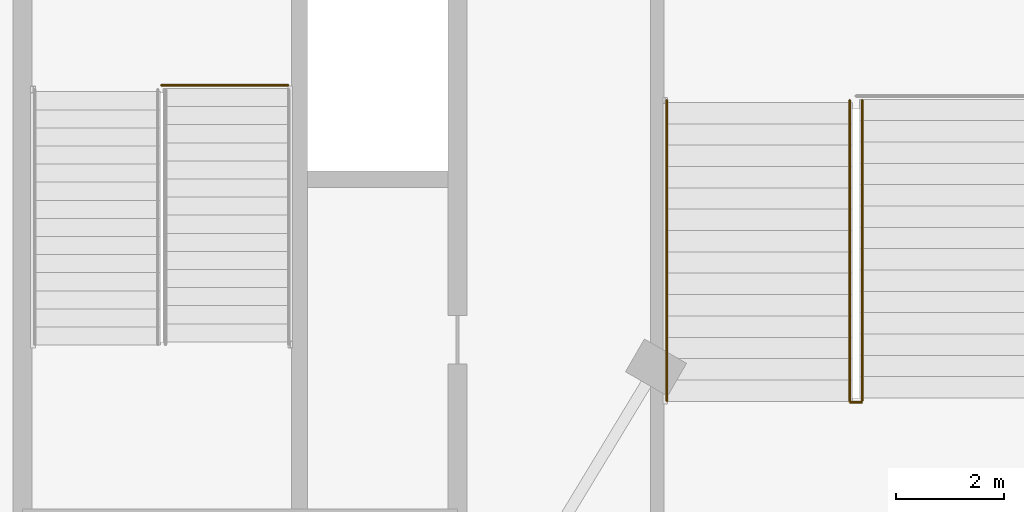
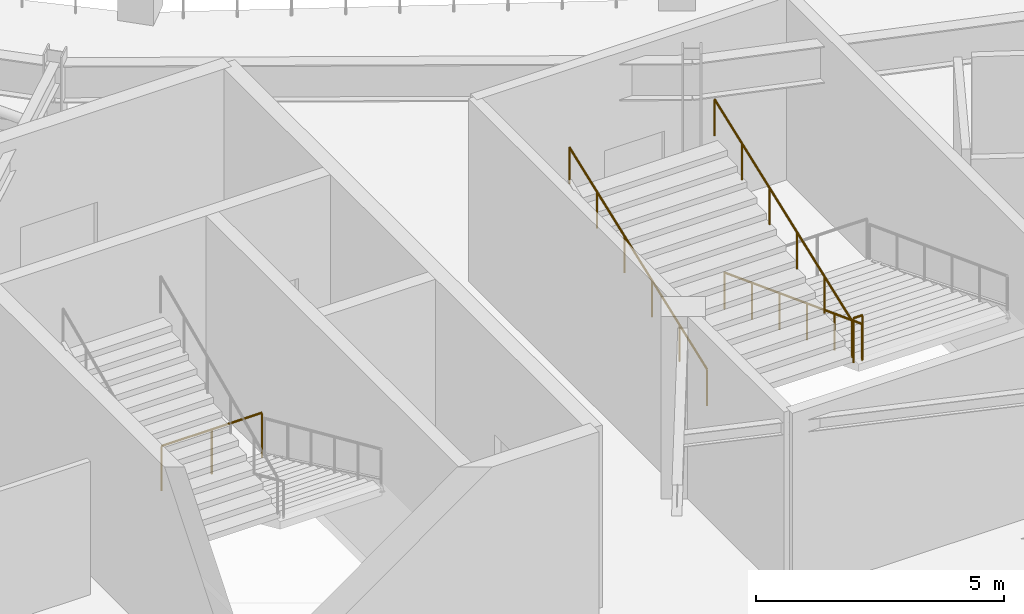
# One storey, part 102 of 123: 5 railings.
"""IFC4 building model written with IfcOpenShell, lengths in metres."""

import ifcopenshell
import ifcopenshell.guid

model = None  # the IFC model being written
_history = None  # IfcOwnerHistory: only IFC2X3 demands one
_inside = {}  # id of a spatial element -> (the spatial element, [elements in it])
_under = {}  # id of a project, library or spatial element -> (it, [spatial elements below it])
_declared = {}  # id of a project -> (the project, [libraries it declares])
_typed = {}  # id of a type object -> (the type object, [elements of that type])
_made_of = {}  # id of a material, layer set ... -> (it, [elements and type objects made of it])


def new_model(schema):
    """Start an empty IFC model of exactly this schema.

    Asked for "IFC4X3", IfcOpenShell would pick the latest addendum, in which some entities
    have other attributes; the version numbers below select the first issue.
    IFC2X3 requires an IfcOwnerHistory on every rooted entity: one is made here for all.
    """
    global model, _history
    if schema == "IFC4X3":
        model = ifcopenshell.file(schema_version=(4, 3, 0, 0))
    else:
        model = ifcopenshell.file(schema=schema)
    _inside.clear()
    _under.clear()
    _declared.clear()
    _typed.clear()
    _made_of.clear()
    _history = None
    if model.schema == "IFC2X3":
        org = make("IfcOrganization", Name="unknown")
        user = make(
            "IfcPersonAndOrganization",
            ThePerson=make("IfcPerson", FamilyName="unknown"),
            TheOrganization=org,
        )
        app = make(
            "IfcApplication",
            ApplicationDeveloper=org,
            Version="unknown",
            ApplicationFullName="unknown",
            ApplicationIdentifier="unknown",
        )
        _history = make(
            "IfcOwnerHistory",
            OwningUser=user,
            OwningApplication=app,
            ChangeAction="ADDED",
            CreationDate=0,
        )
    return model


def make(cls, **values):
    """One entity of the class cls with the attributes given. An attribute that is None is left unset."""
    return model.create_entity(
        cls, **{name: value for name, value in values.items() if value is not None}
    )


def rooted(cls, **values):
    """An entity with a GlobalId (a new one), such as an element, a storey or a relation."""
    return make(cls, GlobalId=ifcopenshell.guid.new(), OwnerHistory=_history, **values)


def si_unit(unit_type, name, prefix=None):
    """IfcSIUnit, for example si_unit("LENGTHUNIT", "METRE", prefix="MILLI")."""
    return make("IfcSIUnit", UnitType=unit_type, Prefix=prefix, Name=name)


def assignment(units):
    """IfcUnitAssignment: the units of a project."""
    return None if units is None else make("IfcUnitAssignment", Units=units)


def point(xyz):
    """IfcCartesianPoint."""
    return None if xyz is None else make("IfcCartesianPoint", Coordinates=xyz)


def direction(xyz):
    """IfcDirection."""
    return None if xyz is None else make("IfcDirection", DirectionRatios=xyz)


def frame(location, z_axis=None, x_axis=None):
    """IfcAxis2Placement3D, a coordinate frame: its origin and axes. An axis left out is left unset."""
    return make(
        "IfcAxis2Placement3D",
        Location=point(location),
        Axis=direction(z_axis),
        RefDirection=direction(x_axis),
    )


def frame_2d(location, x_axis=None):
    """IfcAxis2Placement2D, a coordinate frame in the plane: its origin and x axis."""
    return make(
        "IfcAxis2Placement2D", Location=point(location), RefDirection=direction(x_axis)
    )


def origin():
    """The frame at (0, 0, 0) with its axes left unset."""
    return frame((0.0, 0.0, 0.0))


def origin_2d():
    """The frame at (0, 0) in the plane with its x axis left unset."""
    return frame_2d((0.0, 0.0))


def place(relative_to, where):
    """IfcLocalPlacement: puts the frame where relative to a parent placement (None: the world)."""
    return make(
        "IfcLocalPlacement", PlacementRelTo=relative_to, RelativePlacement=where
    )


def context(
    kind, dimensions, precision=None, world=None, true_north=None, identifier=None
):
    """IfcGeometricRepresentationContext, for example the 3D "Model" context."""
    return make(
        "IfcGeometricRepresentationContext",
        ContextIdentifier=identifier,
        ContextType=kind,
        CoordinateSpaceDimension=dimensions,
        Precision=precision,
        WorldCoordinateSystem=world,
        TrueNorth=true_north,
    )


def subcontext(parent, identifier, kind, view, scale=None):
    """IfcGeometricRepresentationSubContext, for example "Body" below "Model"."""
    return make(
        "IfcGeometricRepresentationSubContext",
        ContextIdentifier=identifier,
        ContextType=kind,
        ParentContext=parent,
        TargetScale=scale,
        TargetView=view,
    )


def project(units=None, contexts=None):
    """IfcProject with its units and contexts."""
    return rooted(
        "IfcProject",
        Name="project",
        RepresentationContexts=contexts,
        UnitsInContext=assignment(units),
    )


def spatial(cls, under=None, at=None, **own):
    """A site, building, storey or space (cls), placed at a placement, below another one or the project."""
    s = rooted(cls, ObjectPlacement=at, **own)
    if under is not None:
        _under.setdefault(under.id(), (under, []))[1].append(s)
    return s


def profile(cls, at=None, kind="AREA", **sizes):
    """A parametric profile (cls). Its sizes go by their IFC names, for example OverallWidth=200.0."""
    return make(cls, ProfileType=kind, Position=at, **sizes)


def circle(**sizes):
    """IfcCircleProfileDef."""
    return profile("IfcCircleProfileDef", **sizes)


def extrude(swept, where, along, depth):
    """IfcExtrudedAreaSolid: the profile swept, set in the frame where, extruded along a direction by depth."""
    return make(
        "IfcExtrudedAreaSolid",
        SweptArea=swept,
        Position=where,
        ExtrudedDirection=direction(along),
        Depth=depth,
    )


def shape(context_of_items, identifier, shape_type, items):
    """IfcShapeRepresentation: the items that make up one representation, for example the "Body"."""
    return make(
        "IfcShapeRepresentation",
        ContextOfItems=context_of_items,
        RepresentationIdentifier=identifier,
        RepresentationType=shape_type,
        Items=items,
    )


def material(Name=None, Category=None):
    """IfcMaterial."""
    return make("IfcMaterial", Name=Name, Category=Category)


def made_of(thing, what):
    """Note that an element or type object is made of a material, layer set ...; save() writes the relation."""
    if what is not None:
        _made_of.setdefault(what.id(), (what, []))[1].append(thing)
    return thing


def type_object(cls, material=None, **own):
    """A type object (cls), such as IfcWallType, which elements share."""
    return made_of(rooted(cls, **own), material)


def element(
    cls,
    number,
    at=None,
    inside=None,
    cuts=None,
    type_object=None,
    material=None,
    context=None,
    identifier="Body",
    shape_type=None,
    held_by="IfcProductDefinitionShape",
    body=None,
    shapes=None,
    **own,
):
    """One element of the class cls, such as IfcWall. Its Tag is "e" and its number.

    at: its placement. inside: the storey or other place that contains it. cuts: it is an
    opening in that element (IfcRelVoidsElement). A single representation is given by context,
    identifier, shape_type and body (its items); several are given by shapes. held_by: the class
    of the entity that holds the representations. save() writes the other relations.
    """
    e = rooted(cls, Tag="e%d" % number, ObjectPlacement=at, **own)
    if body is not None:
        shapes = [shape(context, identifier, shape_type, body)]
    if shapes is not None:
        e.Representation = make(held_by, Representations=shapes)
    if inside is not None:
        _inside.setdefault(inside.id(), (inside, []))[1].append(e)
    if cuts is not None:
        rooted(
            "IfcRelVoidsElement", RelatingBuildingElement=cuts, RelatedOpeningElement=e
        )
    if type_object is not None:
        _typed.setdefault(type_object.id(), (type_object, []))[1].append(e)
    return made_of(e, material)


def aggregate(whole, parts):
    """IfcRelAggregates: a whole, such as a stair, and the parts it consists of."""
    return rooted("IfcRelAggregates", RelatingObject=whole, RelatedObjects=parts)


def save(model, path):
    """Write the relations noted so far, then the file.

    IfcRelAggregates (storeys below a building ...), IfcRelContainedInSpatialStructure (elements
    in a storey), IfcRelDefinesByType, IfcRelAssociatesMaterial and IfcRelDeclares: one each for
    every whole, place, type object, material and project.
    """
    for whole, parts in _under.values():
        aggregate(whole, parts)
    for where, things in _inside.values():
        rooted(
            "IfcRelContainedInSpatialStructure",
            RelatedElements=things,
            RelatingStructure=where,
        )
    for kind, things in _typed.values():
        rooted("IfcRelDefinesByType", RelatedObjects=things, RelatingType=kind)
    for what, things in _made_of.values():
        rooted("IfcRelAssociatesMaterial", RelatedObjects=things, RelatingMaterial=what)
    for by, libraries in _declared.values():
        rooted("IfcRelDeclares", RelatingContext=by, RelatedDefinitions=libraries)
    model.write(path)


model = new_model("IFC4")

# Units and contexts
model_context = context("Model", 3, precision=1e-05, world=origin(), true_north=direction((0.0, 1.0)))
body_context = subcontext(model_context, "Body", "Model", "MODEL_VIEW")
ifc_project = project(units=[si_unit("LENGTHUNIT", "METRE"), si_unit("AREAUNIT", "SQUARE_METRE"), si_unit("VOLUMEUNIT", "CUBIC_METRE"), si_unit("PLANEANGLEUNIT", "RADIAN"), si_unit("MASSUNIT", "GRAM", prefix="KILO")], contexts=[model_context])

# Site, building, storey
site_placement = place(None, origin())
site = spatial("IfcSite", under=ifc_project, at=site_placement, CompositionType="ELEMENT")
building_placement = place(site_placement, origin())
building = spatial("IfcBuilding", under=site, at=building_placement, Name="Kalgoora Escarpment Arena", CompositionType="ELEMENT")
storey_placement = place(building_placement, frame((0.0, 0.0, 9.89990234375)))
storey = spatial("IfcBuildingStorey", under=building, at=storey_placement, Name="L02", CompositionType="ELEMENT", Elevation=9.89990234375)

# Railings
ifc_material_1 = material(Name="Galvanised & powdercoated tubular steel", Category="steel")
railing_type_1 = type_object("IfcRailingType", Name="RAL-GUARD-1120", PredefinedType="GUARDRAIL", material=ifc_material_1)
railing_1_placement = place(storey_placement, frame((53.889892578125, 26.7900390625, 0.0)))
element("IfcRailing", 1, at=railing_1_placement, inside=storey, type_object=railing_type_1, Name="ST05 L02 floor landing well guard", PredefinedType="GUARDRAIL", context=body_context, shape_type="SweptSolid", body=[
    extrude(circle(Radius=0.02392578125, at=origin_2d()), frame((0.0, 0.0, 1.09619140625), z_axis=(-1.0, 0.0, 0.0), x_axis=(0.0, -1.0, 0.0)), (0.0, 0.0, 1.0), 2.33984375),
    extrude(circle(Radius=0.02099609375, at=origin_2d()), origin(), (0.0, 0.0, 1.0), 1.072021484375),
    extrude(circle(Radius=0.02099609375, at=origin_2d()), frame((-1.169921875, 0.0, 0.0)), (0.0, 0.0, 1.0), 1.072021484375),
    extrude(circle(Radius=0.02099609375, at=origin_2d()), frame((-2.33984375, 0.0, 0.0)), (0.0, 0.0, 1.0), 1.072021484375),
])
railing_2_placement = place(storey_placement, frame((64.5048828125, 20.919921875, 2.25)))
element("IfcRailing", 2, at=railing_2_placement, inside=storey, type_object=railing_type_1, Name="ST13 L02 half-landing well guard", PredefinedType="GUARDRAIL", context=body_context, shape_type="SweptSolid", body=[
    extrude(circle(Radius=0.02392578125, at=origin_2d()), frame((0.0, 0.0, 1.09619140625), z_axis=(-1.0, 0.0, 0.0), x_axis=(0.0, -1.0, 0.0)), (0.0, 0.0, 1.0), 0.2099609375),
    extrude(circle(Radius=0.02099609375, at=origin_2d()), origin(), (0.0, 0.0, 1.0), 1.072021484375),
    extrude(circle(Radius=0.02099609375, at=origin_2d()), frame((-0.2099609375, 0.0, 0.0)), (0.0, 0.0, 1.0), 1.072021484375),
])
ifc_material_2 = material(Name="Brushed stainless steel 316 handrail", Category="steel")
railing_type_2 = type_object("IfcRailingType", Name="RAL-HAND-920", PredefinedType="HANDRAIL", material=ifc_material_2)
railing_3_placement = place(storey_placement, frame((64.514892578125, 26.510009765625, 0.110107421875)))
element("IfcRailing", 3, at=railing_3_placement, inside=storey, type_object=railing_type_2, Name="ST13 L02 pitched stair handrail F1R", PredefinedType="HANDRAIL", context=body_context, shape_type="SweptSolid", body=[
    extrude(circle(Radius=0.02392578125, at=origin_2d()), frame((0.0, 0.0, 0.89599609375), z_axis=(0.0, -0.935492612948, 0.353346248203), x_axis=(1.0, 0.0, 0.0)), (0.0, 0.0, 1.0), 5.943359375),
    extrude(circle(Radius=0.02099609375, at=origin_2d()), origin(), (0.0, 0.0, 1.0), 0.871826171875),
    extrude(circle(Radius=0.02099609375, at=origin_2d()), frame((0.0, -1.112060546875, 0.419921875)), (0.0, 0.0, 1.0), 0.871826171875),
    extrude(circle(Radius=0.02099609375, at=origin_2d()), frame((0.0, -2.22412109375, 0.840087890625)), (0.0, 0.0, 1.0), 0.871826171875),
    extrude(circle(Radius=0.02099609375, at=origin_2d()), frame((0.0, -3.3359375, 1.260009765625)), (0.0, 0.0, 1.0), 0.871826171875),
    extrude(circle(Radius=0.02099609375, at=origin_2d()), frame((0.0, -4.447998046875, 1.68017578125)), (0.0, 0.0, 1.0), 0.871826171875),
    extrude(circle(Radius=0.02099609375, at=origin_2d()), frame((0.0, -5.56005859375, 2.10009765625)), (0.0, 0.0, 1.0), 0.871826171875),
])
for number, where, name in (
    (4, (64.284912109375, 20.949951171875, 2.360107421875), "ST13 L02 pitched stair handrail F2L"),
    (5, (60.89990234375, 20.949951171875, 2.360107421875), "ST13 L02 pitched stair handrail F2R"),
):
    element("IfcRailing", number, at=place(storey_placement, frame(where)), inside=storey, type_object=railing_type_2, Name=name, PredefinedType="HANDRAIL", context=body_context, shape_type="SweptSolid", body=[
        extrude(circle(Radius=0.02392578125, at=origin_2d()), frame((0.0, 0.0, 0.89599609375), z_axis=(0.0, 0.935492612948, 0.353346248203), x_axis=(-1.0, 0.0, 0.0)), (0.0, 0.0, 1.0), 5.943359375),
        extrude(circle(Radius=0.02099609375, at=origin_2d()), origin(), (0.0, 0.0, 1.0), 0.871826171875),
        extrude(circle(Radius=0.02099609375, at=origin_2d()), frame((0.0, 1.112060546875, 0.419921875)), (0.0, 0.0, 1.0), 0.871826171875),
        extrude(circle(Radius=0.02099609375, at=origin_2d()), frame((0.0, 2.22412109375, 0.840087890625)), (0.0, 0.0, 1.0), 0.871826171875),
        extrude(circle(Radius=0.02099609375, at=origin_2d()), frame((0.0, 3.3359375, 1.260009765625)), (0.0, 0.0, 1.0), 0.871826171875),
        extrude(circle(Radius=0.02099609375, at=origin_2d()), frame((0.0, 4.447998046875, 1.68017578125)), (0.0, 0.0, 1.0), 0.871826171875),
        extrude(circle(Radius=0.02099609375, at=origin_2d()), frame((0.0, 5.56005859375, 2.10009765625)), (0.0, 0.0, 1.0), 0.871826171875),
    ])

save(model, "model.ifc")
